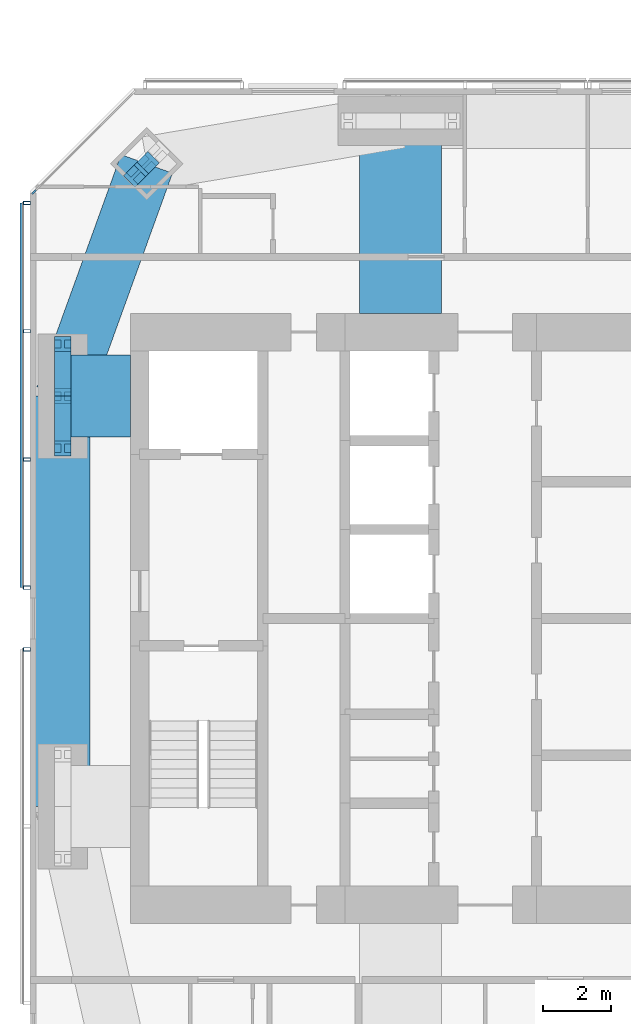
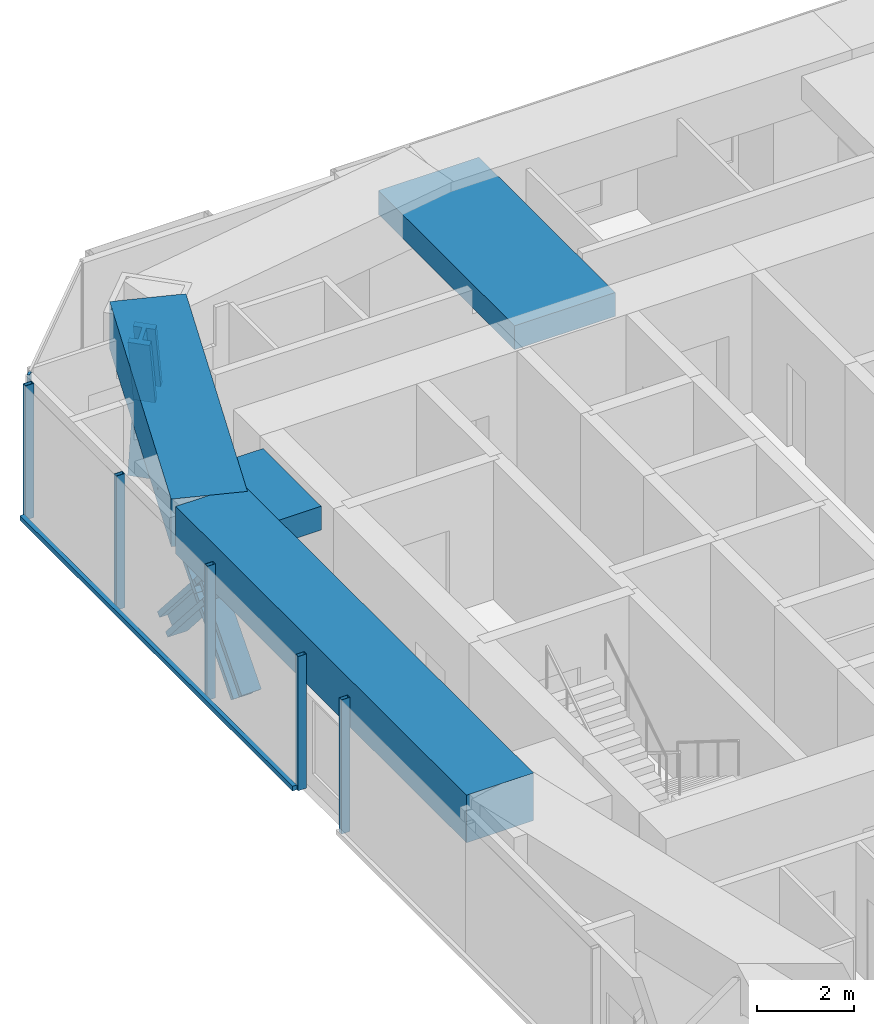
# One storey, part 6 of 19: 13 members, 4 beams, 3 elements without a shape of their own.
"""IFC4 building model written with IfcOpenShell, lengths in metres."""

from ifc_helpers import new_model, si_unit, direction, frame, origin, origin_2d, place, context, subcontext, project, spatial, rectangle, hollow_rectangle, i_section, extrude, material, material_profile, profile_set, type_object, element, aggregate, save


model = new_model("IFC4")

# Units and contexts
model_context = context("Model", 3, precision=1e-05, world=origin(), true_north=direction((0.0, 1.0)))
body_context = subcontext(model_context, "Body", "Model", "MODEL_VIEW")
ifc_project = project(units=[si_unit("LENGTHUNIT", "METRE"), si_unit("AREAUNIT", "SQUARE_METRE"), si_unit("VOLUMEUNIT", "CUBIC_METRE"), si_unit("PLANEANGLEUNIT", "RADIAN"), si_unit("MASSUNIT", "GRAM", prefix="KILO")], contexts=[model_context])

# Site, building, storey
site_placement = place(None, origin())
site = spatial("IfcSite", under=ifc_project, at=site_placement, CompositionType="ELEMENT")
building_placement = place(site_placement, origin())
building = spatial("IfcBuilding", under=site, at=building_placement, Name="Jalousie Tower", CompositionType="ELEMENT")
storey_placement = place(building_placement, frame((0.0, 0.0, 221.449951171875)))
storey = spatial("IfcBuildingStorey", under=building, at=storey_placement, Name="L60", CompositionType="ELEMENT", Elevation=221.449951171875)

# Curtain wall, member
ifc_material_1 = material(Name="Aluminium curtain wall", Category="aluminium")
curtain_wall_type_1 = type_object("IfcCurtainWallType", Name="CORNER WINDOW WALL", PredefinedType="USERDEFINED", material=ifc_material_1)
curtain_wall_1_placement = place(storey_placement, origin())
curtain_wall_1 = element("IfcCurtainWall", 1, at=curtain_wall_1_placement, inside=storey, type_object=curtain_wall_type_1, Name="Corner Window Wall L60 6", ObjectType="CORNER WINDOW WALL", PredefinedType="USERDEFINED")
ifc_material_2 = material(Name="Aluminium mullion", Category="aluminium")
ifc_material_profile_1 = material_profile(ifc_material_2, rectangle(XDim=0.06005859375, YDim=0.14990234375, at=origin_2d()), Name="MULLION 60x150")
ifc_profile_set_1 = profile_set([ifc_material_profile_1], Name="Aluminium mullion")
member_type_1 = type_object("IfcMemberType", Name="CORNER WINDOW WALL MULLION", PredefinedType="MULLION", material=ifc_profile_set_1)
member_1_placement = place(storey_placement, frame((16.90869140625, 30.969970703125, 0.0), z_axis=(0.0, 0.0, 1.0), x_axis=(0.707106781187, -0.707106781187, 0.0)))
member_1 = element("IfcMember", 2, at=member_1_placement, type_object=member_type_1, Name="CW-C mullion 2", PredefinedType="MULLION", context=body_context, shape_type="SweptSolid", body=[
    extrude(rectangle(XDim=0.06005859375, YDim=0.14990234375, at=origin_2d()), origin(), (0.0, 0.0, 1.0), 3.260009765625),
])
aggregate(curtain_wall_1, [member_1])

# Members
ifc_material_3 = material(Name="Steel ASTM A992 Grade 50", Category="steel")
ifc_material_profile_2 = material_profile(ifc_material_3, i_section(OverallWidth=0.472412109375, OverallDepth=0.5791015625, WebThickness=0.094970703125, FlangeThickness=0.1298828125, at=origin_2d()), Name="W14X808")
ifc_profile_set_2 = profile_set([ifc_material_profile_2], Name="Steel ASTM A992 Grade 50")
member_type_2 = type_object("IfcMemberType", Name="PERIMETER BRACE W14X808", PredefinedType="BRACE", material=ifc_profile_set_2)
for number, where, z_axis, x_axis, name in (
    (3, (20.20703125, 31.79296875, 1.150146484375), (-0.176051427143, -0.17618653952, 0.968485517854), (0.707377963048, -0.706835495285, 0.0), "Perimeter brace 12 L60 part 2"),
    (4, (19.888916015625, 31.474609375, -0.599853515625), (0.176051427143, 0.17618653952, 0.968485517854), (-0.707377963048, 0.706835495285, 0.0), "Perimeter brace 12 L60 part 3"),
):
    element("IfcMember", number, at=place(storey_placement, frame(where, z_axis=z_axis, x_axis=x_axis)), inside=storey, type_object=member_type_2, Name=name, PredefinedType="BRACE", context=body_context, shape_type="SweptSolid", body=[
        extrude(i_section(OverallWidth=0.472412109375, OverallDepth=0.5791015625, WebThickness=0.094970703125, FlangeThickness=0.1298828125, at=origin_2d()), origin(), (0.0, 0.0, 1.0), 1.806884765625),
    ])
for number, where, z_axis, x_axis, name in (
    (5, (17.75, 23.47509765625, -0.599853515625), (0.0, 0.65695436777, 0.753930340726), (-1.0, 0.0, 0.0), "Perimeter brace 13 L60 part 1"),
    (6, (17.75, 25.0, 1.150146484375), (0.0, 0.65695436777, 0.753930340726), (-1.0, 0.0, 0.0), "Perimeter brace 13 L60 part 2"),
    (7, (17.75, 26.52490234375, -0.599853515625), (0.0, -0.65695436777, 0.753930340726), (1.0, 0.0, 0.0), "Perimeter brace 13 L60 part 3"),
    (8, (17.75, 25.0, 1.150146484375), (0.0, -0.65695436777, 0.753930340726), (1.0, 0.0, 0.0), "Perimeter brace 13 L60 part 4"),
):
    element("IfcMember", number, at=place(storey_placement, frame(where, z_axis=z_axis, x_axis=x_axis)), inside=storey, type_object=member_type_2, Name=name, PredefinedType="BRACE", context=body_context, shape_type="SweptSolid", body=[
        extrude(i_section(OverallWidth=0.472412109375, OverallDepth=0.5791015625, WebThickness=0.094970703125, FlangeThickness=0.1298828125, at=origin_2d()), origin(), (0.0, 0.0, 1.0), 2.3212890625),
    ])

# Beams
ifc_material_4 = material(Name="Concrete f'c 40 MPa", Category="concrete")
ifc_material_profile_3 = material_profile(ifc_material_4, rectangle(XDim=1.60009765625, YDim=1.199951171875, at=origin_2d()), Name="RC 1600x1200")
ifc_profile_set_3 = profile_set([ifc_material_profile_3], Name="Concrete f'c 40 MPa")
beam_type_1 = type_object("IfcBeamType", Name="RC BEAM 1600x1200", PredefinedType="BEAM", material=ifc_profile_set_3)
beam_1_placement = place(storey_placement, frame((20.20703125, 31.79296875, 2.900146484375), z_axis=(-0.340136081654, -0.940376225751, 0.0), x_axis=(0.940376225751, -0.340136081654, 0.0)))
element("IfcBeam", 9, at=beam_1_placement, inside=storey, type_object=beam_type_1, Name="Edge band beam 12-13 under L61", PredefinedType="BEAM", context=body_context, shape_type="SweptSolid", body=[
    extrude(rectangle(XDim=1.60009765625, YDim=1.199951171875, at=origin_2d()), origin(), (0.0, 0.0, 1.0), 7.2236328125),
])
beam_2_placement = place(storey_placement, frame((17.75, 25.0, 2.900146484375), z_axis=(0.0, -1.0, 0.0), x_axis=(1.0, 0.0, 0.0)))
element("IfcBeam", 10, at=beam_2_placement, inside=storey, type_object=beam_type_1, Name="Edge band beam 13-14 under L61", PredefinedType="BEAM", context=body_context, shape_type="SweptSolid", body=[
    extrude(rectangle(XDim=1.60009765625, YDim=1.199951171875, at=origin_2d()), origin(), (0.0, 0.0, 1.0), 12.0),
])
ifc_material_5 = material(Name="Concrete f'c 40 MPa", Category="concrete")
ifc_material_profile_4 = material_profile(ifc_material_5, rectangle(XDim=2.39990234375, YDim=0.60009765625, at=origin_2d()), Name="RC 2400x600")
ifc_profile_set_4 = profile_set([ifc_material_profile_4], Name="Concrete f'c 40 MPa")
beam_type_2 = type_object("IfcBeamType", Name="RC BEAM 2400x600", PredefinedType="BEAM", material=ifc_profile_set_4)
beam_3_placement = place(storey_placement, frame((17.75, 25.0, 2.9599609375), z_axis=(1.0, 0.0, 0.0), x_axis=(0.0, 1.0, 0.0)))
element("IfcBeam", 11, at=beam_3_placement, inside=storey, type_object=beam_type_2, Name="Floor band beam under L61", PredefinedType="BEAM", context=body_context, shape_type="SweptSolid", body=[
    extrude(rectangle(XDim=2.39990234375, YDim=0.60009765625, at=origin_2d()), origin(), (0.0, 0.0, 1.0), 1.97509765625),
])
beam_4_placement = place(storey_placement, frame((27.625, 33.050048828125, 2.9599609375), z_axis=(0.0, -1.0, 0.0), x_axis=(1.0, 0.0, 0.0)))
element("IfcBeam", 12, at=beam_4_placement, inside=storey, type_object=beam_type_2, Name="Floor band beam under L61", PredefinedType="BEAM", context=body_context, shape_type="SweptSolid", body=[
    extrude(rectangle(XDim=2.39990234375, YDim=0.60009765625, at=origin_2d()), origin(), (0.0, 0.0, 1.0), 5.625),
])

# Curtain wall, members
ifc_material_6 = material(Name="Perforated aluminium sheet", Category="aluminium")
curtain_wall_type_2 = type_object("IfcCurtainWallType", Name="SOLAR SCREEN SS-2", PredefinedType="USERDEFINED", material=ifc_material_6)
curtain_wall_2_placement = place(storey_placement, origin())
curtain_wall_2 = element("IfcCurtainWall", 13, at=curtain_wall_2_placement, inside=storey, type_object=curtain_wall_type_2, Name="Solar screen L60", ObjectType="SOLAR SCREEN SS-2", PredefinedType="USERDEFINED")
ifc_material_7 = material(Name="Steel ASTM A500 Grade C", Category="steel")
ifc_material_profile_5 = material_profile(ifc_material_7, hollow_rectangle(XDim=0.1015625, YDim=0.203125, WallThickness=0.0078125, at=origin_2d()), Name="HSS8X4X5/16")
ifc_profile_set_5 = profile_set([ifc_material_profile_5], Name="Steel ASTM A500 Grade C")
member_type_3 = type_object("IfcMemberType", Name="SOLAR SCREEN SS-2 MULLION", PredefinedType="MULLION", material=ifc_profile_set_5)
member_2_placement = place(storey_placement, frame((16.703369140625, 30.648681640625, -0.119873046875), z_axis=(0.0, 0.0, 1.0), x_axis=(0.0, -1.0, 0.0)))
member_2 = element("IfcMember", 14, at=member_2_placement, type_object=member_type_3, Name="SS2 post 1", PredefinedType="MULLION", context=body_context, shape_type="SweptSolid", body=[
    extrude(hollow_rectangle(XDim=0.1015625, YDim=0.203125, WallThickness=0.0078125, at=origin_2d()), origin(), (0.0, 0.0, 1.0), 3.3798828125),
])
member_3_placement = place(storey_placement, frame((16.703369140625, 26.899169921875, -0.119873046875), z_axis=(0.0, 0.0, 1.0), x_axis=(0.0, -1.0, 0.0)))
member_3 = element("IfcMember", 15, at=member_3_placement, type_object=member_type_3, Name="SS2 post 2", PredefinedType="MULLION", context=body_context, shape_type="SweptSolid", body=[
    extrude(hollow_rectangle(XDim=0.1015625, YDim=0.203125, WallThickness=0.0078125, at=origin_2d()), origin(), (0.0, 0.0, 1.0), 3.3798828125),
])
member_4_placement = place(storey_placement, frame((16.703369140625, 23.149658203125, -0.119873046875), z_axis=(0.0, 0.0, 1.0), x_axis=(0.0, -1.0, 0.0)))
member_4 = element("IfcMember", 16, at=member_4_placement, type_object=member_type_3, Name="SS2 post 3", PredefinedType="MULLION", context=body_context, shape_type="SweptSolid", body=[
    extrude(hollow_rectangle(XDim=0.1015625, YDim=0.203125, WallThickness=0.0078125, at=origin_2d()), origin(), (0.0, 0.0, 1.0), 3.3798828125),
])
member_5_placement = place(storey_placement, frame((16.703369140625, 19.39990234375, -0.119873046875), z_axis=(0.0, 0.0, 1.0), x_axis=(0.0, -1.0, 0.0)))
member_5 = element("IfcMember", 17, at=member_5_placement, type_object=member_type_3, Name="SS2 post 4", PredefinedType="MULLION", context=body_context, shape_type="SweptSolid", body=[
    extrude(hollow_rectangle(XDim=0.1015625, YDim=0.203125, WallThickness=0.0078125, at=origin_2d()), origin(), (0.0, 0.0, 1.0), 3.3798828125),
])

# Curtain wall, member
curtain_wall_3_placement = place(storey_placement, origin())
curtain_wall_3 = element("IfcCurtainWall", 18, at=curtain_wall_3_placement, inside=storey, type_object=curtain_wall_type_2, Name="Solar screen L60", ObjectType="SOLAR SCREEN SS-2", PredefinedType="USERDEFINED")
member_6_placement = place(storey_placement, frame((16.703369140625, 17.60009765625, -0.119873046875), z_axis=(0.0, 0.0, 1.0), x_axis=(0.0, -1.0, 0.0)))
member_6 = element("IfcMember", 19, at=member_6_placement, type_object=member_type_3, Name="SS2 post 1", PredefinedType="MULLION", context=body_context, shape_type="SweptSolid", body=[
    extrude(hollow_rectangle(XDim=0.1015625, YDim=0.203125, WallThickness=0.0078125, at=origin_2d()), origin(), (0.0, 0.0, 1.0), 3.3798828125),
])
aggregate(curtain_wall_3, [member_6])

# Member
ifc_material_8 = material(Name="Extruded aluminium screen rail", Category="aluminium")
ifc_material_profile_6 = material_profile(ifc_material_8, rectangle(XDim=0.1015625, YDim=0.1201171875, at=origin_2d()), Name="RAIL 102x120")
ifc_profile_set_6 = profile_set([ifc_material_profile_6], Name="Extruded aluminium screen rail")
member_type_4 = type_object("IfcMemberType", Name="SOLAR SCREEN SS-2 TRANSOM", PredefinedType="USERDEFINED", material=ifc_profile_set_6)
member_7_placement = place(storey_placement, frame((16.551025390625, 30.648681640625, -0.06005859375), z_axis=(0.0, -1.0, 0.0), x_axis=(1.0, 0.0, 0.0)))
member_7 = element("IfcMember", 20, at=member_7_placement, type_object=member_type_4, Name="SS2 rail", ObjectType="TRANSOM", PredefinedType="USERDEFINED", context=body_context, shape_type="SweptSolid", body=[
    extrude(rectangle(XDim=0.1015625, YDim=0.1201171875, at=origin_2d()), origin(), (0.0, 0.0, 1.0), 11.248779296875),
])

aggregate(curtain_wall_2, [member_2, member_3, member_4, member_5, member_7])

save(model, "model.ifc")
